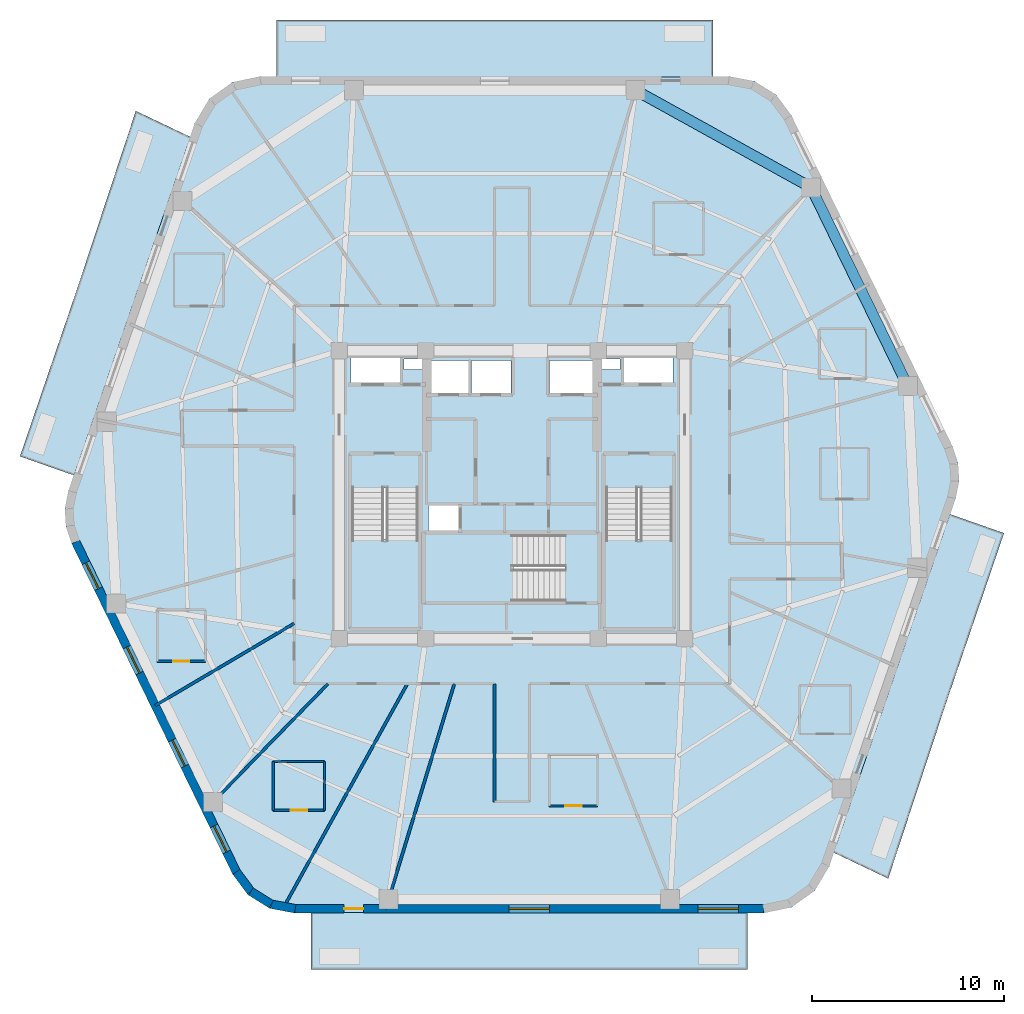
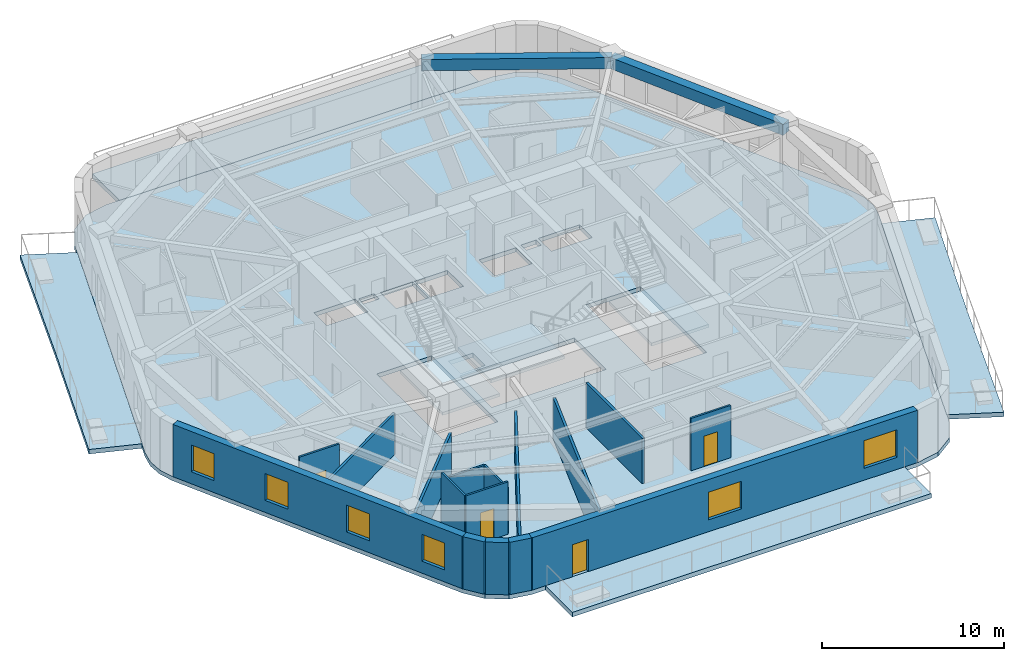
# One storey, part 2 of 9: 16 walls, 8 slabs, 6 windows, 4 doors, 2 beams, 10 openings, 3 elements without a shape of their own.
"""IFC4 building model written with IfcOpenShell, lengths in metres."""

from ifc_helpers import new_model, si_unit, direction, frame, frame_2d, origin, origin_2d, place, context, subcontext, project, spatial, polyline, rectangle, outline, extrude, material, layer, layer_set, material_profile, profile_set, type_object, element, fill, aggregate, save


model = new_model("IFC4")

# Units and contexts
model_context = context("Model", 3, precision=1e-05, world=origin(), true_north=direction((0.0, 1.0)))
body_context = subcontext(model_context, "Body", "Model", "MODEL_VIEW")
ifc_project = project(units=[si_unit("LENGTHUNIT", "METRE"), si_unit("AREAUNIT", "SQUARE_METRE"), si_unit("VOLUMEUNIT", "CUBIC_METRE"), si_unit("PLANEANGLEUNIT", "RADIAN"), si_unit("MASSUNIT", "GRAM", prefix="KILO")], contexts=[model_context])

# Site, building, storey
site_placement = place(None, origin())
site = spatial("IfcSite", under=ifc_project, at=site_placement, CompositionType="ELEMENT")
building_placement = place(site_placement, origin())
building = spatial("IfcBuilding", under=site, at=building_placement, Name="Kilnhurst Terrace Hotel", CompositionType="ELEMENT")
storey_placement = place(building_placement, frame((0.0, 0.0, 229.300048828125)))
storey = spatial("IfcBuildingStorey", under=building, at=storey_placement, Name="L57", CompositionType="ELEMENT", Elevation=229.300048828125)

# Beams
ifc_material_1 = material(Name="Concrete C50/60", Category="concrete")
ifc_material_profile = material_profile(ifc_material_1, rectangle(XDim=0.550048828125, YDim=0.75, at=origin_2d()), Name="RC550X750")
ifc_profile_set = profile_set([ifc_material_profile], Name="Concrete C50/60")
beam_type = type_object("IfcBeamType", Name="BM-SPN-550X750", PredefinedType="SPANDREL", material=ifc_profile_set)
beam_1_placement = place(storey_placement, frame((20.6220703125, 5.669921875, 3.125), z_axis=(-0.437705964683, 0.899118172701, 0.0), x_axis=(-0.899118172701, -0.437705964683, 0.0)))
element("IfcBeam", 1, at=beam_1_placement, inside=storey, type_object=beam_type, Name="L57 Perimeter Spandrel Beam 5", PredefinedType="SPANDREL", context=body_context, shape_type="SweptSolid", body=[
    extrude(rectangle(XDim=0.550048828125, YDim=0.75, at=origin_2d()), origin(), (0.0, 0.0, 1.0), 11.50341796875),
])
beam_2_placement = place(storey_placement, frame((15.5869140625, 16.012939453125, 3.125), z_axis=(-0.874970333121, 0.484176534085, 0.0), x_axis=(-0.484176534085, -0.874970333121, 0.0)))
element("IfcBeam", 2, at=beam_2_placement, inside=storey, type_object=beam_type, Name="L57 Perimeter Spandrel Beam 6", PredefinedType="SPANDREL", context=body_context, shape_type="SweptSolid", body=[
    extrude(rectangle(XDim=0.550048828125, YDim=0.75, at=origin_2d()), origin(), (0.0, 0.0, 1.0), 10.465576171875),
])

# Slabs
ifc_layer_1 = layer(ifc_material_1, 0.300048828125, Name="Concrete C50/60")
ifc_layer_set_1 = layer_set([ifc_layer_1], Name="Concrete C50/60")
slab_type_1 = type_object("IfcSlabType", Name="SLB-BAL-300", PredefinedType="FLOOR", material=ifc_layer_set_1)
slab_1_placement = place(storey_placement, frame((0.0, 0.0, -0.300048828125)))
element("IfcSlab", 3, at=slab_1_placement, inside=storey, type_object=slab_type_1, Name="L57 Cantilevered Planted Terrace Slab BAL-L1A", PredefinedType="FLOOR", context=body_context, shape_type="SweptSolid", body=[
    extrude(outline(polyline([(-10.46875, -21.780029296875), (12.27490234375, -21.780029296875), (12.27490234375, -24.739990234375), (-10.46875, -24.739990234375), (-10.46875, -21.780029296875)])), origin(), (0.0, 0.0, 1.0), 0.300048828125),
])
slab_2_placement = place(storey_placement, frame((0.0, 0.0, -0.300048828125)))
element("IfcSlab", 4, at=slab_2_placement, inside=storey, type_object=slab_type_1, Name="L57 Cantilevered Planted Terrace Slab BAL-L1B", PredefinedType="FLOOR", context=body_context, shape_type="SweptSolid", body=[
    extrude(outline(polyline([(19.604736328125, -20.0), (16.75830078125, -18.64208984375), (22.8193359375, -1.010498046875), (25.638916015625, -2.0), (22.650146484375, -10.76171875), (19.604736328125, -20.0)])), origin(), (0.0, 0.0, 1.0), 0.300048828125),
])
slab_3_placement = place(storey_placement, frame((0.0, 0.0, -0.300048828125)))
element("IfcSlab", 5, at=slab_3_placement, inside=storey, type_object=slab_type_1, Name="L57 Cantilevered Planted Terrace Slab BAL-L2A", PredefinedType="FLOOR", context=body_context, shape_type="SweptSolid", body=[
    extrude(outline(polyline([(-12.27490234375, 21.780029296875), (-12.27490234375, 24.739990234375), (10.46875, 24.739990234375), (10.46875, 21.780029296875), (-12.27490234375, 21.780029296875)])), origin(), (0.0, 0.0, 1.0), 0.300048828125),
])
slab_4_placement = place(storey_placement, frame((0.0, 0.0, -0.300048828125)))
element("IfcSlab", 6, at=slab_4_placement, inside=storey, type_object=slab_type_1, Name="L57 Cantilevered Planted Terrace Slab BAL-L2B", PredefinedType="FLOOR", context=body_context, shape_type="SweptSolid", body=[
    extrude(outline(polyline([(-19.604736328125, 20.0), (-16.75830078125, 18.64208984375), (-22.8193359375, 1.010498046875), (-25.638916015625, 2.0), (-22.650146484375, 10.76171875), (-19.604736328125, 20.0)])), origin(), (0.0, 0.0, 1.0), 0.300048828125),
])
ifc_layer_2 = layer(ifc_material_1, 0.280029296875, Name="Concrete C50/60")
ifc_layer_set_2 = layer_set([ifc_layer_2], Name="Concrete C50/60")
slab_type_2 = type_object("IfcSlabType", Name="SLB-FLR-280", PredefinedType="FLOOR", material=ifc_layer_set_2)
slab_5_placement = place(storey_placement, frame((0.0, 0.0, -0.280029296875)))
element("IfcSlab", 7, at=slab_5_placement, inside=storey, type_object=slab_type_2, Name="L57 Structural Floor Slab", PredefinedType="FLOOR", context=body_context, shape_type="SweptSolid", body=[
    extrude(outline(polyline([(-14.555419921875, -19.77587890625), (-13.759765625, -20.845947265625), (-12.629150390625, -21.552978515625), (-11.318603515625, -21.800048828125), (13.124755859375, -21.800048828125), (14.5703125, -21.4970703125), (15.772705078125, -20.638916015625), (16.529296875, -19.370361328125), (23.1162109375, -0.208740234375), (23.302978515625, 0.710693359375), (23.24560546875, 1.6474609375), (22.948486328125, 2.537353515625), (14.555419921875, 19.77587890625), (13.759765625, 20.845947265625), (12.629150390625, 21.552978515625), (11.318603515625, 21.800048828125), (-13.124755859375, 21.800048828125), (-14.5703125, 21.4970703125), (-15.772705078125, 20.638916015625), (-16.529296875, 19.370361328125), (-23.1162109375, 0.208740234375), (-23.302978515625, -0.710693359375), (-23.24560546875, -1.6474609375), (-22.948486328125, -2.537353515625), (-14.555419921875, -19.77587890625)]), holes=[polyline([(-8.35009765625, 0.35498046875), (-4.8798828125, 0.35498046875), (-4.8798828125, -6.89990234375), (-8.35009765625, -6.89990234375), (-8.35009765625, 0.35498046875)]), polyline([(-2.800048828125, -1.89990234375), (-4.35009765625, -1.89990234375), (-4.35009765625, -0.550048828125), (-2.800048828125, -0.550048828125), (-2.800048828125, -1.89990234375)]), polyline([(-2.25, 5.25), (-4.300048828125, 5.25), (-4.300048828125, 7.0), (-2.25, 7.0), (-2.25, 5.25)]), polyline([(-2.1201171875, 5.25), (-2.1201171875, 7.0), (-0.050048828125, 7.0), (-0.050048828125, 5.25), (-2.1201171875, 5.25)]), polyline([(-8.39990234375, 5.75), (-8.39990234375, 7.14990234375), (-5.800048828125, 7.14990234375), (-5.800048828125, 5.75), (-8.39990234375, 5.75)]), polyline([(-4.659912109375, 6.52001953125), (-5.6201171875, 6.52001953125), (-5.6201171875, 7.080078125), (-4.659912109375, 7.080078125), (-4.659912109375, 6.52001953125)]), polyline([(2.7548828125, -5.550048828125), (-4.5, -5.550048828125), (-4.5, -2.080078125), (2.7548828125, -2.080078125), (2.7548828125, -5.550048828125)]), polyline([(8.35009765625, 0.35498046875), (8.35009765625, -6.89990234375), (4.8798828125, -6.89990234375), (4.8798828125, 0.35498046875), (8.35009765625, 0.35498046875)]), polyline([(4.300048828125, 5.25), (1.949951171875, 5.25), (1.949951171875, 7.0), (4.300048828125, 7.0), (4.300048828125, 5.25)]), polyline([(5.800048828125, 5.75), (5.800048828125, 7.14990234375), (8.39990234375, 7.14990234375), (8.39990234375, 5.75), (5.800048828125, 5.75)]), polyline([(4.659912109375, 6.52001953125), (4.659912109375, 7.080078125), (5.6201171875, 7.080078125), (5.6201171875, 6.52001953125), (4.659912109375, 6.52001953125)])]), origin(), (0.0, 0.0, 1.0), 0.280029296875),
])

# Stair, slab
stair_type = type_object("IfcStairType", Name="STR-CORE-1660", PredefinedType="HALF_TURN_STAIR", material=ifc_material_1)
stair_1_placement = place(storey_placement, origin())
stair_1 = element("IfcStair", 8, at=stair_1_placement, inside=storey, type_object=stair_type, Name="L57 ST-1", PredefinedType="HALF_TURN_STAIR")
ifc_layer_3 = layer(ifc_material_1, 0.199951171875, Name="Concrete C50/60")
ifc_layer_set_3 = layer_set([ifc_layer_3], Name="Concrete C50/60")
slab_type_3 = type_object("IfcSlabType", Name="SLB-ST-LND-200", PredefinedType="LANDING", material=ifc_layer_set_3)
slab_6_placement = place(storey_placement, frame((0.0, 0.0, 1.699951171875)))
slab_6 = element("IfcSlab", 9, at=slab_6_placement, type_object=slab_type_3, Name="ST-1 landing 1", PredefinedType="LANDING", context=body_context, shape_type="SweptSolid", body=[
    extrude(outline(polyline([(-8.429931640625, -2.330078125), (-4.800048828125, -2.330078125), (-4.800048828125, -6.97998046875), (-8.429931640625, -6.97998046875), (-8.429931640625, -2.330078125)])), origin(), (0.0, 0.0, 1.0), 0.199951171875),
])
aggregate(stair_1, [slab_6])

stair_2_placement = place(storey_placement, origin())
stair_2 = element("IfcStair", 10, at=stair_2_placement, inside=storey, type_object=stair_type, Name="L57 ST-2", PredefinedType="HALF_TURN_STAIR")
slab_7_placement = place(storey_placement, frame((0.0, 0.0, 1.699951171875)))
slab_7 = element("IfcSlab", 11, at=slab_7_placement, type_object=slab_type_3, Name="ST-2 landing 1", PredefinedType="LANDING", context=body_context, shape_type="SweptSolid", body=[
    extrude(outline(polyline([(4.800048828125, -2.330078125), (8.429931640625, -2.330078125), (8.429931640625, -6.97998046875), (4.800048828125, -6.97998046875), (4.800048828125, -2.330078125)])), origin(), (0.0, 0.0, 1.0), 0.199951171875),
])
aggregate(stair_2, [slab_7])

stair_3_placement = place(storey_placement, origin())
stair_3 = element("IfcStair", 12, at=stair_3_placement, inside=storey, type_object=stair_type, Name="L57 ST-3", PredefinedType="HALF_TURN_STAIR")
slab_8_placement = place(storey_placement, frame((0.0, 0.0, 1.699951171875)))
slab_8 = element("IfcSlab", 13, at=slab_8_placement, type_object=slab_type_3, Name="ST-3 landing 1", PredefinedType="LANDING", context=body_context, shape_type="SweptSolid", body=[
    extrude(outline(polyline([(0.070068359375, -2.0), (0.070068359375, -5.6298828125), (-4.580078125, -5.6298828125), (-4.580078125, -2.0), (0.070068359375, -2.0)])), origin(), (0.0, 0.0, 1.0), 0.199951171875),
])
aggregate(stair_3, [slab_8])

# Walls
ifc_material_2 = material(Name="Precast concrete C40/50", Category="concrete")
ifc_layer_4 = layer(ifc_material_2, 0.449951171875, Name="Precast concrete C40/50")
ifc_layer_set_4 = layer_set([ifc_layer_4], Name="Precast concrete C40/50")
wall_type_1 = type_object("IfcWallType", Name="WL-BRK-450", PredefinedType="SOLIDWALL", material=ifc_layer_set_4)
wall_1_placement = place(storey_placement, frame((-14.3623046875, -19.658447265625, 0.0), z_axis=(0.0, 0.0, 1.0), x_axis=(0.596642462792, -0.80250717853, 0.0)))
element("IfcWall", 14, at=wall_1_placement, inside=storey, type_object=wall_type_1, Name="L57 Rounded Corner Brick Wall C1.1", PredefinedType="SOLIDWALL", context=body_context, shape_type="SweptSolid", body=[
    extrude(rectangle(XDim=1.27001953125, YDim=0.449951171875, at=frame_2d((0.635009765625, 0.0))), origin(), (0.0, 0.0, 1.0), 3.5),
])
wall_2_placement = place(storey_placement, frame((-13.6044921875, -20.677734375, 0.0), z_axis=(0.0, 0.0, 1.0), x_axis=(0.847910404124, -0.53013955387, 0.0)))
element("IfcWall", 15, at=wall_2_placement, inside=storey, type_object=wall_type_1, Name="L57 Rounded Corner Brick Wall C1.2", PredefinedType="SOLIDWALL", context=body_context, shape_type="SweptSolid", body=[
    extrude(rectangle(XDim=1.24853515625, YDim=0.449951171875, at=frame_2d((0.624267578125, 0.0))), origin(), (0.0, 0.0, 1.0), 3.5),
])
wall_3_placement = place(storey_placement, frame((-12.5458984375, -21.339599609375, 0.0), z_axis=(0.0, 0.0, 1.0), x_axis=(0.982686750835, -0.18527479519, 0.0)))
element("IfcWall", 16, at=wall_3_placement, inside=storey, type_object=wall_type_1, Name="L57 Rounded Corner Brick Wall C1.3", PredefinedType="SOLIDWALL", context=body_context, shape_type="SweptSolid", body=[
    extrude(rectangle(XDim=1.270263671875, YDim=0.449951171875, at=frame_2d((0.63525390625, 0.0))), origin(), (0.0, 0.0, 1.0), 3.5),
])

# Wall, openings, door, windows
wall_4_placement = place(storey_placement, frame((-11.297607421875, -21.574951171875, 0.0), z_axis=(0.0, 0.0, 1.0), x_axis=(1.0, 0.0, 0.0)))
wall_4 = element("IfcWall", 17, at=wall_4_placement, inside=storey, type_object=wall_type_1, Name="L57 Exterior Brick Facade Wall F1", PredefinedType="SOLIDWALL", context=body_context, shape_type="SweptSolid", body=[
    extrude(rectangle(XDim=24.399169921875, YDim=0.449951171875, at=frame_2d((12.19970703125, 0.0))), origin(), (0.0, 0.0, 1.0), 3.5),
])
opening_1_placement = place(wall_4_placement, frame((2.550048828125, 0.0, 0.0)))
opening_1 = element("IfcOpeningElement", 18, at=opening_1_placement, cuts=wall_4, Name="Opening BD-1000", PredefinedType="OPENING", context=body_context, shape_type="SweptSolid", body=[
    extrude(rectangle(XDim=1.0, YDim=2.14990234375, at=frame_2d((0.5, 1.074951171875))), frame((0.0, 0.23486328125, 0.0), z_axis=(0.0, -1.0, 0.0), x_axis=(1.0, 0.0, 0.0)), (0.0, 0.0, 1.0), 0.469970703125),
])
opening_2_placement = place(wall_4_placement, frame((11.15087890625, 0.0, 0.800048828125)))
opening_2 = element("IfcOpeningElement", 19, at=opening_2_placement, cuts=wall_4, Name="Opening W-04", PredefinedType="OPENING", context=body_context, shape_type="SweptSolid", body=[
    extrude(rectangle(XDim=2.10009765625, YDim=1.85009765625, at=frame_2d((1.050048828125, 0.925048828125))), frame((0.0, 0.23486328125, 0.0), z_axis=(0.0, -1.0, 0.0), x_axis=(1.0, 0.0, 0.0)), (0.0, 0.0, 1.0), 0.469970703125),
])
opening_3_placement = place(wall_4_placement, frame((20.99609375, 0.0, 0.800048828125)))
opening_3 = element("IfcOpeningElement", 20, at=opening_3_placement, cuts=wall_4, Name="Opening W-04", PredefinedType="OPENING", context=body_context, shape_type="SweptSolid", body=[
    extrude(rectangle(XDim=2.10009765625, YDim=1.85009765625, at=frame_2d((1.050048828125, 0.925048828125))), frame((0.0, 0.23486328125, 0.0), z_axis=(0.0, -1.0, 0.0), x_axis=(1.0, 0.0, 0.0)), (0.0, 0.0, 1.0), 0.469970703125),
])
ifc_material_3 = material(Name="Thermally Broken Bronze Aluminium Alloy 6063-T6 and Laminated Glass", Category="aluminium")
door_type_1 = type_object("IfcDoorType", Name="DR-EXT-BAL-1000", OperationType="NOTDEFINED", PredefinedType="DOOR", material=ifc_material_3)
door_1_placement = place(opening_1_placement, origin())
door_1 = element("IfcDoor", 21, at=door_1_placement, inside=storey, type_object=door_type_1, Name="L57 Planted Balcony Door BAL-L1A", OperationType="SINGLE_SWING_LEFT", OverallHeight=2.14990234375, OverallWidth=1.0, PredefinedType="DOOR", context=body_context, shape_type="SweptSolid", body=[
    extrude(rectangle(XDim=1.0, YDim=2.14990234375, at=frame_2d((0.5, 1.074951171875))), frame((0.0, 0.02490234375, 0.0), z_axis=(0.0, -1.0, 0.0), x_axis=(1.0, 0.0, 0.0)), (0.0, 0.0, 1.0), 0.050048828125),
])
fill(opening_1, door_1)
ifc_material_4 = material(Name="Thermally Broken Bronze Aluminium Alloy 6063-T6 and Low-E Glass", Category="aluminium")
window_type_1 = type_object("IfcWindowType", Name="WIN-2100X1850", PartitioningType="SINGLE_PANEL", PredefinedType="WINDOW", material=ifc_material_4)
window_1_placement = place(opening_2_placement, origin())
window_1 = element("IfcWindow", 22, at=window_1_placement, inside=storey, type_object=window_type_1, Name="L57 Deep-Set Masonry Window F1.1", OverallHeight=1.85009765625, OverallWidth=2.10009765625, PartitioningType="SINGLE_PANEL", PredefinedType="WINDOW", context=body_context, shape_type="SweptSolid", body=[
    extrude(rectangle(XDim=2.10009765625, YDim=1.85009765625, at=frame_2d((1.050048828125, 0.925048828125))), frame((0.0, 0.030029296875, 0.0), z_axis=(0.0, -1.0, 0.0), x_axis=(1.0, 0.0, 0.0)), (0.0, 0.0, 1.0), 0.06005859375),
])
fill(opening_2, window_1)
window_2_placement = place(opening_3_placement, origin())
window_2 = element("IfcWindow", 23, at=window_2_placement, inside=storey, type_object=window_type_1, Name="L57 Deep-Set Masonry Window F1.2", OverallHeight=1.85009765625, OverallWidth=2.10009765625, PartitioningType="SINGLE_PANEL", PredefinedType="WINDOW", context=body_context, shape_type="SweptSolid", body=[
    extrude(rectangle(XDim=2.10009765625, YDim=1.85009765625, at=frame_2d((1.050048828125, 0.925048828125))), frame((0.0, 0.030029296875, 0.0), z_axis=(0.0, -1.0, 0.0), x_axis=(1.0, 0.0, 0.0)), (0.0, 0.0, 1.0), 0.06005859375),
])
fill(opening_3, window_2)

# Wall, openings, windows
wall_5_placement = place(storey_placement, frame((-22.73974609375, -2.4521484375, 0.0), z_axis=(0.0, 0.0, 1.0), x_axis=(0.437753424814, -0.899095066755, 0.0)))
wall_5 = element("IfcWall", 24, at=wall_5_placement, inside=storey, type_object=wall_type_1, Name="L57 Exterior Brick Facade Wall F6", PredefinedType="SOLIDWALL", context=body_context, shape_type="SweptSolid", body=[
    extrude(rectangle(XDim=19.137451171875, YDim=0.449951171875, at=frame_2d((9.56884765625, 0.0))), origin(), (0.0, 0.0, 1.0), 3.5),
])
opening_4_placement = place(wall_5_placement, frame((1.216064453125, 0.0, 0.800048828125)))
opening_4 = element("IfcOpeningElement", 25, at=opening_4_placement, cuts=wall_5, Name="Opening W-02", PredefinedType="OPENING", context=body_context, shape_type="SweptSolid", body=[
    extrude(rectangle(XDim=1.5, YDim=1.800048828125, at=frame_2d((0.75, 0.89990234375))), frame((0.0, 0.23486328125, 0.0), z_axis=(0.0, -1.0, 0.0), x_axis=(1.0, 0.0, 0.0)), (0.0, 0.0, 1.0), 0.469970703125),
])
opening_5_placement = place(wall_5_placement, frame((6.10498046875, 0.0, 0.800048828125)))
opening_5 = element("IfcOpeningElement", 26, at=opening_5_placement, cuts=wall_5, Name="Opening W-02", PredefinedType="OPENING", context=body_context, shape_type="SweptSolid", body=[
    extrude(rectangle(XDim=1.5, YDim=1.800048828125, at=frame_2d((0.75, 0.89990234375))), frame((0.0, 0.23486328125, 0.0), z_axis=(0.0, -1.0, 0.0), x_axis=(1.0, 0.0, 0.0)), (0.0, 0.0, 1.0), 0.469970703125),
])
opening_6_placement = place(wall_5_placement, frame((11.4990234375, 0.0, 0.800048828125)))
opening_6 = element("IfcOpeningElement", 27, at=opening_6_placement, cuts=wall_5, Name="Opening W-02", PredefinedType="OPENING", context=body_context, shape_type="SweptSolid", body=[
    extrude(rectangle(XDim=1.5, YDim=1.800048828125, at=frame_2d((0.75, 0.89990234375))), frame((0.0, 0.23486328125, 0.0), z_axis=(0.0, -1.0, 0.0), x_axis=(1.0, 0.0, 0.0)), (0.0, 0.0, 1.0), 0.469970703125),
])
opening_7_placement = place(wall_5_placement, frame((16.472900390625, 0.0, 0.800048828125)))
opening_7 = element("IfcOpeningElement", 28, at=opening_7_placement, cuts=wall_5, Name="Opening W-02", PredefinedType="OPENING", context=body_context, shape_type="SweptSolid", body=[
    extrude(rectangle(XDim=1.5, YDim=1.800048828125, at=frame_2d((0.75, 0.89990234375))), frame((0.0, 0.23486328125, 0.0), z_axis=(0.0, -1.0, 0.0), x_axis=(1.0, 0.0, 0.0)), (0.0, 0.0, 1.0), 0.469970703125),
])
window_type_2 = type_object("IfcWindowType", Name="WIN-1500X1800", PartitioningType="SINGLE_PANEL", PredefinedType="WINDOW", material=ifc_material_4)
window_3_placement = place(opening_4_placement, origin())
window_3 = element("IfcWindow", 29, at=window_3_placement, inside=storey, type_object=window_type_2, Name="L57 Deep-Set Masonry Window F6.1", OverallHeight=1.800048828125, OverallWidth=1.5, PartitioningType="SINGLE_PANEL", PredefinedType="WINDOW", context=body_context, shape_type="SweptSolid", body=[
    extrude(rectangle(XDim=1.5, YDim=1.800048828125, at=frame_2d((0.75, 0.89990234375))), frame((0.0, 0.030029296875, 0.0), z_axis=(0.0, -1.0, 0.0), x_axis=(1.0, 0.0, 0.0)), (0.0, 0.0, 1.0), 0.06005859375),
])
fill(opening_4, window_3)
window_4_placement = place(opening_5_placement, origin())
window_4 = element("IfcWindow", 30, at=window_4_placement, inside=storey, type_object=window_type_2, Name="L57 Deep-Set Masonry Window F6.2", OverallHeight=1.800048828125, OverallWidth=1.5, PartitioningType="SINGLE_PANEL", PredefinedType="WINDOW", context=body_context, shape_type="SweptSolid", body=[
    extrude(rectangle(XDim=1.5, YDim=1.800048828125, at=frame_2d((0.75, 0.89990234375))), frame((0.0, 0.030029296875, 0.0), z_axis=(0.0, -1.0, 0.0), x_axis=(1.0, 0.0, 0.0)), (0.0, 0.0, 1.0), 0.06005859375),
])
fill(opening_5, window_4)
window_5_placement = place(opening_6_placement, origin())
window_5 = element("IfcWindow", 31, at=window_5_placement, inside=storey, type_object=window_type_2, Name="L57 Deep-Set Masonry Window F6.3", OverallHeight=1.800048828125, OverallWidth=1.5, PartitioningType="SINGLE_PANEL", PredefinedType="WINDOW", context=body_context, shape_type="SweptSolid", body=[
    extrude(rectangle(XDim=1.5, YDim=1.800048828125, at=frame_2d((0.75, 0.89990234375))), frame((0.0, 0.030029296875, 0.0), z_axis=(0.0, -1.0, 0.0), x_axis=(1.0, 0.0, 0.0)), (0.0, 0.0, 1.0), 0.06005859375),
])
fill(opening_6, window_5)
window_6_placement = place(opening_7_placement, origin())
window_6 = element("IfcWindow", 32, at=window_6_placement, inside=storey, type_object=window_type_2, Name="L57 Deep-Set Masonry Window F6.4", OverallHeight=1.800048828125, OverallWidth=1.5, PartitioningType="SINGLE_PANEL", PredefinedType="WINDOW", context=body_context, shape_type="SweptSolid", body=[
    extrude(rectangle(XDim=1.5, YDim=1.800048828125, at=frame_2d((0.75, 0.89990234375))), frame((0.0, 0.030029296875, 0.0), z_axis=(0.0, -1.0, 0.0), x_axis=(1.0, 0.0, 0.0)), (0.0, 0.0, 1.0), 0.06005859375),
])
fill(opening_7, window_6)

# Walls
ifc_material_5 = material(Name="Acoustic Double-Gypsum Corridor Partition Assembly")
ifc_layer_5 = layer(ifc_material_5, 0.14990234375, Name="Acoustic Double-Gypsum Corridor Partition Assembly")
ifc_layer_set_5 = layer_set([ifc_layer_5], Name="Acoustic Double-Gypsum Corridor Partition Assembly")
wall_type_2 = type_object("IfcWallType", Name="WL-COR-150", PredefinedType="PARTITIONING", material=ifc_layer_set_5)
wall_6_placement = place(storey_placement, frame((-0.919921875, -16.0, 0.0), z_axis=(0.0, 0.0, 1.0), x_axis=(0.0, 1.0, 0.0)))
element("IfcWall", 33, at=wall_6_placement, inside=storey, type_object=wall_type_2, Name="L57 Interior Wall WL-L57-COR-19", PredefinedType="PARTITIONING", context=body_context, shape_type="SweptSolid", body=[
    extrude(rectangle(XDim=6.14990234375, YDim=0.14990234375, at=frame_2d((3.074951171875, 0.0))), origin(), (0.0, 0.0, 1.0), 3.0263671875),
])
ifc_material_6 = material(Name="STC-58 Acoustic Twin-Frame Guestroom Demising Partition")
ifc_layer_6 = layer(ifc_material_6, 0.14990234375, Name="STC-58 Acoustic Twin-Frame Guestroom Demising Partition")
ifc_layer_set_6 = layer_set([ifc_layer_6], Name="STC-58 Acoustic Twin-Frame Guestroom Demising Partition")
wall_type_3 = type_object("IfcWallType", Name="WL-DEM-150", PredefinedType="PARTITIONING", material=ifc_layer_set_6)
wall_7_placement = place(storey_placement, frame((-11.35009765625, -6.705078125, 0.0), z_axis=(0.0, 0.0, 1.0), x_axis=(-0.86097625004, -0.508645158108, 0.0)))
element("IfcWall", 34, at=wall_7_placement, inside=storey, type_object=wall_type_3, Name="L57 Interior Wall WL-L57-DEM-MID07-11-1", PredefinedType="PARTITIONING", context=body_context, shape_type="SweptSolid", body=[
    extrude(rectangle(XDim=8.406005859375, YDim=0.14990234375, at=frame_2d((4.203125, 0.0))), origin(), (0.0, 0.0, 1.0), 2.739990234375),
])
wall_8_placement = place(storey_placement, frame((-9.587890625, -9.85009765625, 0.0), z_axis=(0.0, 0.0, 1.0), x_axis=(-0.697519469595, -0.716565830567, 0.0)))
element("IfcWall", 35, at=wall_8_placement, inside=storey, type_object=wall_type_3, Name="L57 Interior Wall WL-L57-DEM-COL08-12-1", PredefinedType="PARTITIONING", context=body_context, shape_type="SweptSolid", body=[
    extrude(rectangle(XDim=9.12646484375, YDim=0.14990234375, at=frame_2d((4.563232421875, 0.0))), origin(), (0.0, 0.0, 1.0), 2.739990234375),
])
wall_9_placement = place(storey_placement, frame((-5.450927734375, -9.85009765625, 0.0), z_axis=(0.0, 0.0, 1.0), x_axis=(-0.484188830955, -0.87496352837, 0.0)))
element("IfcWall", 36, at=wall_9_placement, inside=storey, type_object=wall_type_3, Name="L57 Interior Wall WL-L57-DEM-MID08-13-1", PredefinedType="PARTITIONING", context=body_context, shape_type="SweptSolid", body=[
    extrude(rectangle(XDim=13.10693359375, YDim=0.14990234375, at=frame_2d((6.553466796875, 0.0))), origin(), (0.0, 0.0, 1.0), 2.739990234375),
])
wall_10_placement = place(storey_placement, frame((-3.00439453125, -9.85009765625, 0.0), z_axis=(0.0, 0.0, 1.0), x_axis=(-0.291775760688, -0.956486751333, 0.0)))
element("IfcWall", 37, at=wall_10_placement, inside=storey, type_object=wall_type_3, Name="L57 Interior Wall WL-L57-DEM-COL09-14-1", PredefinedType="PARTITIONING", context=body_context, shape_type="SweptSolid", body=[
    extrude(rectangle(XDim=12.25830078125, YDim=0.14990234375, at=frame_2d((6.129150390625, 0.0))), origin(), (0.0, 0.0, 1.0), 2.739990234375),
])

# Wall, opening, door
ifc_material_7 = material(Name="120 mm Moisture-Resistant Tile-Backed Bathroom Partition")
ifc_layer_7 = layer(ifc_material_7, 0.1201171875, Name="120 mm Moisture-Resistant Tile-Backed Bathroom Partition")
ifc_layer_set_7 = layer_set([ifc_layer_7], Name="120 mm Moisture-Resistant Tile-Backed Bathroom Partition")
wall_type_4 = type_object("IfcWallType", Name="WL-PART-120", PredefinedType="PARTITIONING", material=ifc_layer_set_7)
wall_11_placement = place(storey_placement, frame((-18.491943359375, -8.678955078125, 0.0), z_axis=(0.0, 0.0, 1.0), x_axis=(1.0, 0.0, 0.0)))
wall_11 = element("IfcWall", 38, at=wall_11_placement, inside=storey, type_object=wall_type_4, Name="L57 Interior Wall WL-L57-BTH-10-1", PredefinedType="PARTITIONING", context=body_context, shape_type="SweptSolid", body=[
    extrude(rectangle(XDim=2.52001953125, YDim=0.1201171875, at=frame_2d((1.260009765625, 0.0))), origin(), (0.0, 0.0, 1.0), 3.5),
])
opening_8_placement = place(wall_11_placement, frame((0.8349609375, 0.0, 0.0)))
opening_8 = element("IfcOpeningElement", 39, at=opening_8_placement, cuts=wall_11, Name="Opening D-08A", PredefinedType="OPENING", context=body_context, shape_type="SweptSolid", body=[
    extrude(rectangle(XDim=0.85009765625, YDim=2.030029296875, at=frame_2d((0.425048828125, 1.01513671875))), frame((0.0, 0.070068359375, 0.0), z_axis=(0.0, -1.0, 0.0), x_axis=(1.0, 0.0, 0.0)), (0.0, 0.0, 1.0), 0.14013671875),
])
ifc_material_8 = material(Name="Moisture-Resistant Lacquered En-suite Bathroom Door")
door_type_2 = type_object("IfcDoorType", Name="DR-INT-850", OperationType="NOTDEFINED", PredefinedType="DOOR", material=ifc_material_8)
door_2_placement = place(opening_8_placement, origin())
door_2 = element("IfcDoor", 40, at=door_2_placement, inside=storey, type_object=door_type_2, Name="L57 En-suite Bathroom Door 10", OperationType="SINGLE_SWING_LEFT", OverallHeight=2.030029296875, OverallWidth=0.85009765625, PredefinedType="DOOR", context=body_context, shape_type="SweptSolid", body=[
    extrude(rectangle(XDim=0.85009765625, YDim=2.030029296875, at=frame_2d((0.425048828125, 1.01513671875))), frame((0.0, 0.02490234375, 0.0), z_axis=(0.0, -1.0, 0.0), x_axis=(1.0, 0.0, 0.0)), (0.0, 0.0, 1.0), 0.050048828125),
])
fill(opening_8, door_2)

wall_12_placement = place(storey_placement, frame((-12.447021484375, -16.44189453125, 0.0), z_axis=(0.0, 0.0, 1.0), x_axis=(1.0, 0.0, 0.0)))
wall_12 = element("IfcWall", 41, at=wall_12_placement, inside=storey, type_object=wall_type_4, Name="L57 Interior Wall WL-L57-BTH-12-1", PredefinedType="PARTITIONING", context=body_context, shape_type="SweptSolid", body=[
    extrude(rectangle(XDim=2.679931640625, YDim=0.1201171875, at=frame_2d((1.33984375, 0.0))), origin(), (0.0, 0.0, 1.0), 3.5),
])
opening_9_placement = place(wall_12_placement, frame((0.9150390625, 0.0, 0.0)))
opening_9 = element("IfcOpeningElement", 42, at=opening_9_placement, cuts=wall_12, Name="Opening D-08A", PredefinedType="OPENING", context=body_context, shape_type="SweptSolid", body=[
    extrude(rectangle(XDim=0.85009765625, YDim=2.030029296875, at=frame_2d((0.425048828125, 1.01513671875))), frame((0.0, 0.070068359375, 0.0), z_axis=(0.0, -1.0, 0.0), x_axis=(1.0, 0.0, 0.0)), (0.0, 0.0, 1.0), 0.14013671875),
])
door_3_placement = place(opening_9_placement, origin())
door_3 = element("IfcDoor", 43, at=door_3_placement, inside=storey, type_object=door_type_2, Name="L57 En-suite Bathroom Door 12", OperationType="SINGLE_SWING_LEFT", OverallHeight=2.030029296875, OverallWidth=0.85009765625, PredefinedType="DOOR", context=body_context, shape_type="SweptSolid", body=[
    extrude(rectangle(XDim=0.85009765625, YDim=2.030029296875, at=frame_2d((0.425048828125, 1.01513671875))), frame((0.0, 0.02490234375, 0.0), z_axis=(0.0, -1.0, 0.0), x_axis=(1.0, 0.0, 0.0)), (0.0, 0.0, 1.0), 0.050048828125),
])
fill(opening_9, door_3)

# Walls
wall_13_placement = place(storey_placement, frame((-9.76708984375, -16.44189453125, 0.0), z_axis=(0.0, 0.0, 1.0), x_axis=(0.0, 1.0, 0.0)))
element("IfcWall", 44, at=wall_13_placement, inside=storey, type_object=wall_type_4, Name="L57 Interior Wall WL-L57-BTH-12-2", PredefinedType="PARTITIONING", context=body_context, shape_type="SweptSolid", body=[
    extrude(rectangle(XDim=2.539794921875, YDim=0.1201171875, at=frame_2d((1.27001953125, 0.0))), origin(), (0.0, 0.0, 1.0), 3.072265625),
])
wall_14_placement = place(storey_placement, frame((-9.76708984375, -13.902099609375, 0.0), z_axis=(0.0, 0.0, 1.0), x_axis=(-1.0, 0.0, 0.0)))
element("IfcWall", 45, at=wall_14_placement, inside=storey, type_object=wall_type_4, Name="L57 Interior Wall WL-L57-BTH-12-3", PredefinedType="PARTITIONING", context=body_context, shape_type="SweptSolid", body=[
    extrude(rectangle(XDim=2.679931640625, YDim=0.1201171875, at=frame_2d((1.33984375, 0.0))), origin(), (0.0, 0.0, 1.0), 3.072265625),
])
wall_15_placement = place(storey_placement, frame((-12.447021484375, -13.902099609375, 0.0), z_axis=(0.0, 0.0, 1.0), x_axis=(0.0, -1.0, 0.0)))
element("IfcWall", 46, at=wall_15_placement, inside=storey, type_object=wall_type_4, Name="L57 Interior Wall WL-L57-BTH-12-4", PredefinedType="PARTITIONING", context=body_context, shape_type="SweptSolid", body=[
    extrude(rectangle(XDim=2.539794921875, YDim=0.1201171875, at=frame_2d((1.27001953125, 0.0))), origin(), (0.0, 0.0, 1.0), 3.5),
])

# Wall, opening, door
wall_16_placement = place(storey_placement, frame((1.93798828125, -16.215087890625, 0.0), z_axis=(0.0, 0.0, 1.0), x_axis=(1.0, 0.0, 0.0)))
wall_16 = element("IfcWall", 47, at=wall_16_placement, inside=storey, type_object=wall_type_4, Name="L57 Interior Wall WL-L57-BTH-14-1", PredefinedType="PARTITIONING", context=body_context, shape_type="SweptSolid", body=[
    extrude(rectangle(XDim=2.52001953125, YDim=0.1201171875, at=frame_2d((1.260009765625, 0.0))), origin(), (0.0, 0.0, 1.0), 3.5),
])
opening_10_placement = place(wall_16_placement, frame((0.8349609375, 0.0, 0.0)))
opening_10 = element("IfcOpeningElement", 48, at=opening_10_placement, cuts=wall_16, Name="Opening D-08A", PredefinedType="OPENING", context=body_context, shape_type="SweptSolid", body=[
    extrude(rectangle(XDim=0.85009765625, YDim=2.030029296875, at=frame_2d((0.425048828125, 1.01513671875))), frame((0.0, 0.070068359375, 0.0), z_axis=(0.0, -1.0, 0.0), x_axis=(1.0, 0.0, 0.0)), (0.0, 0.0, 1.0), 0.14013671875),
])
door_4_placement = place(opening_10_placement, origin())
door_4 = element("IfcDoor", 49, at=door_4_placement, inside=storey, type_object=door_type_2, Name="L57 En-suite Bathroom Door 14", OperationType="SINGLE_SWING_LEFT", OverallHeight=2.030029296875, OverallWidth=0.85009765625, PredefinedType="DOOR", context=body_context, shape_type="SweptSolid", body=[
    extrude(rectangle(XDim=0.85009765625, YDim=2.030029296875, at=frame_2d((0.425048828125, 1.01513671875))), frame((0.0, 0.02490234375, 0.0), z_axis=(0.0, -1.0, 0.0), x_axis=(1.0, 0.0, 0.0)), (0.0, 0.0, 1.0), 0.050048828125),
])
fill(opening_10, door_4)

save(model, "model.ifc")
